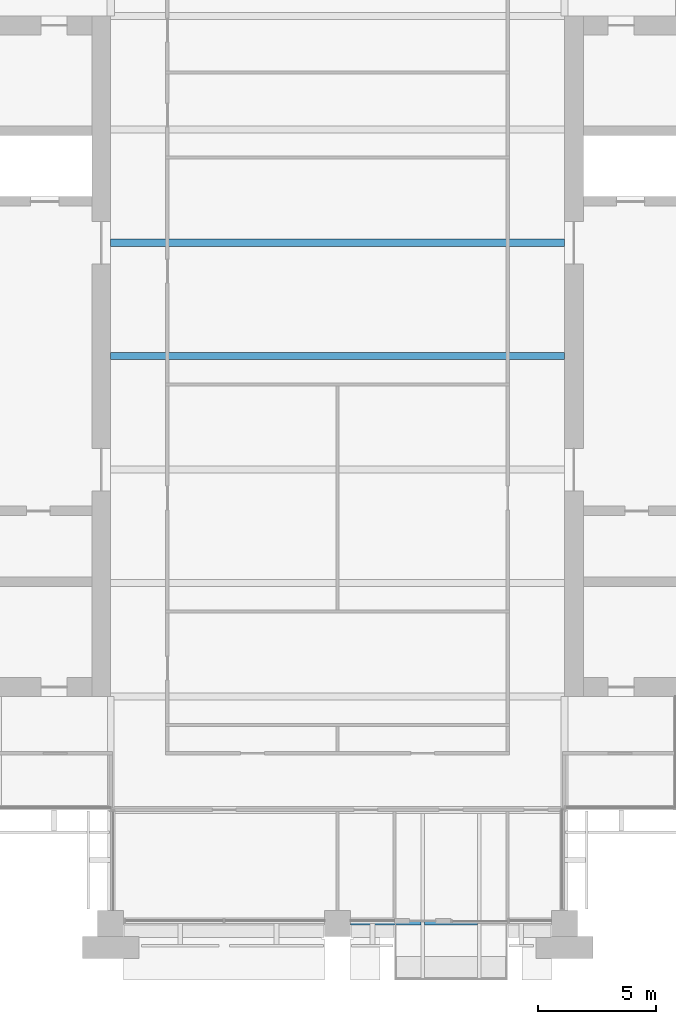
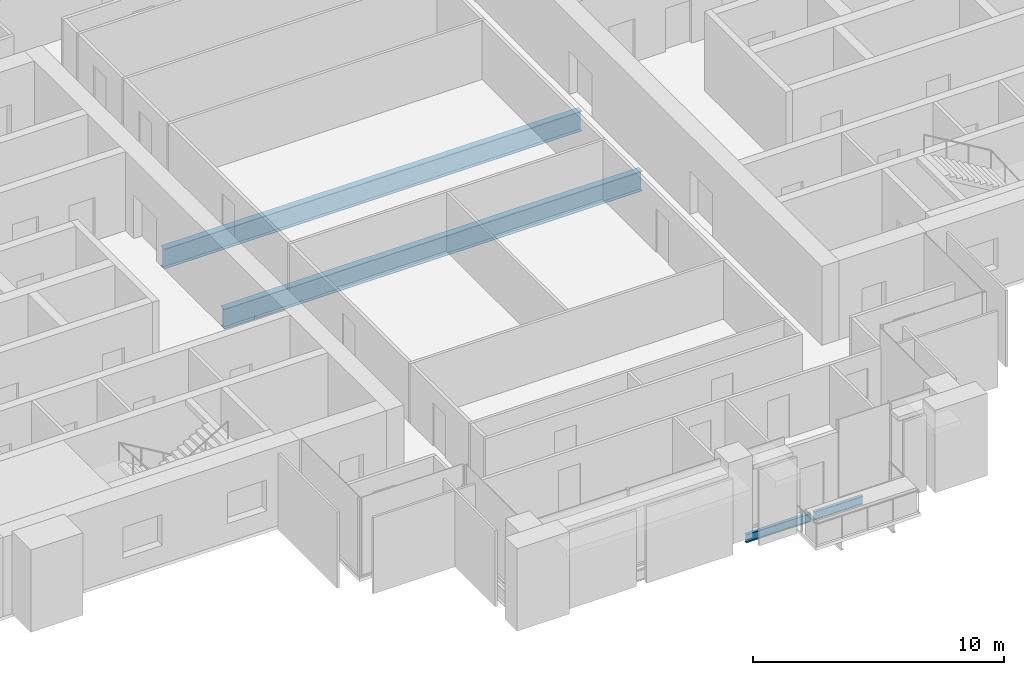
# One storey, part 3 of 14: 4 beams.
"""IFC4 building model written with IfcOpenShell, lengths in metres."""

from ifc_helpers import new_model, si_unit, direction, frame, origin, origin_2d, place, context, subcontext, project, spatial, i_section, extrude, material, material_profile, profile_set, type_object, element, save


model = new_model("IFC4")

# Units and contexts
model_context = context("Model", 3, precision=1e-05, world=origin(), true_north=direction((0.0, 1.0)))
body_context = subcontext(model_context, "Body", "Model", "MODEL_VIEW")
ifc_project = project(units=[si_unit("LENGTHUNIT", "METRE"), si_unit("AREAUNIT", "SQUARE_METRE"), si_unit("VOLUMEUNIT", "CUBIC_METRE"), si_unit("PLANEANGLEUNIT", "RADIAN"), si_unit("MASSUNIT", "GRAM", prefix="KILO")], contexts=[model_context])

# Site, building, storey
site_placement = place(None, origin())
site = spatial("IfcSite", under=ifc_project, at=site_placement, CompositionType="ELEMENT")
building_placement = place(site_placement, origin())
building = spatial("IfcBuilding", under=site, at=building_placement, Name="Baori Bourse Tower", CompositionType="ELEMENT")
storey_placement = place(building_placement, frame((0.0, 0.0, 245.199951171875)))
storey = spatial("IfcBuildingStorey", under=building, at=storey_placement, Name="L54", CompositionType="ELEMENT", Elevation=245.199951171875)

# Beams
ifc_material_1 = material(Name="Steel A992 Gr 50", Category="steel")
ifc_material_profile_1 = material_profile(ifc_material_1, i_section(OverallWidth=0.140380859375, OverallDepth=0.40380859375, WebThickness=0.007080078125, FlangeThickness=0.01123046875, at=origin_2d()), Name="W16x31")
ifc_profile_set_1 = profile_set([ifc_material_profile_1], Name="Steel A992 Gr 50")
beam_type_1 = type_object("IfcBeamType", Name="Edge beam W16x31", PredefinedType="BEAM", material=ifc_profile_set_1)
beam_1_placement = place(storey_placement, frame((29.35009765625, 0.0, -0.36181640625), z_axis=(1.0, 0.0, 0.0), x_axis=(0.0, 1.0, 0.0)))
element("IfcBeam", 1, at=beam_1_placement, inside=storey, type_object=beam_type_1, Name="Edge beam L54", PredefinedType="BEAM", context=body_context, shape_type="SweptSolid", body=[
    extrude(i_section(OverallWidth=0.140380859375, OverallDepth=0.40380859375, WebThickness=0.007080078125, FlangeThickness=0.01123046875, at=origin_2d()), origin(), (0.0, 0.0, 1.0), 2.979736328125),
])
beam_2_placement = place(storey_placement, frame((32.47021484375, 0.0, -0.36181640625), z_axis=(1.0, 0.0, 0.0), x_axis=(0.0, 1.0, 0.0)))
element("IfcBeam", 2, at=beam_2_placement, inside=storey, type_object=beam_type_1, Name="Edge beam L54", PredefinedType="BEAM", context=body_context, shape_type="SweptSolid", body=[
    extrude(i_section(OverallWidth=0.140380859375, OverallDepth=0.40380859375, WebThickness=0.007080078125, FlangeThickness=0.01123046875, at=origin_2d()), origin(), (0.0, 0.0, 1.0), 2.259521484375),
])
ifc_material_2 = material(Name="Steel A992 Gr 50", Category="steel")
ifc_material_profile_2 = material_profile(ifc_material_2, i_section(OverallWidth=0.2998046875, OverallDepth=0.97021484375, WebThickness=0.01611328125, FlangeThickness=0.02099609375, at=origin_2d()), Name="W40x149")
ifc_profile_set_2 = profile_set([ifc_material_profile_2], Name="Steel A992 Gr 50")
beam_type_2 = type_object("IfcBeamType", Name="Floor beam W40x149", PredefinedType="BEAM", material=ifc_profile_set_2)
for number, where, z_axis, x_axis, name in (
    (3, (19.199951171875, 24.0, -0.64501953125), (1.0, 0.0, 0.0), (0.0, 1.0, 0.0), "Floor beam L54"),
    (4, (19.199951171875, 28.800048828125, -0.64501953125), (1.0, 0.0, 0.0), (0.0, 1.0, 0.0), "Floor beam L54"),
):
    element("IfcBeam", number, at=place(storey_placement, frame(where, z_axis=z_axis, x_axis=x_axis)), inside=storey, type_object=beam_type_2, Name=name, PredefinedType="BEAM", context=body_context, shape_type="SweptSolid", body=[
        extrude(i_section(OverallWidth=0.2998046875, OverallDepth=0.97021484375, WebThickness=0.01611328125, FlangeThickness=0.02099609375, at=origin_2d()), origin(), (0.0, 0.0, 1.0), 19.199951171875),
    ])

save(model, "model.ifc")
